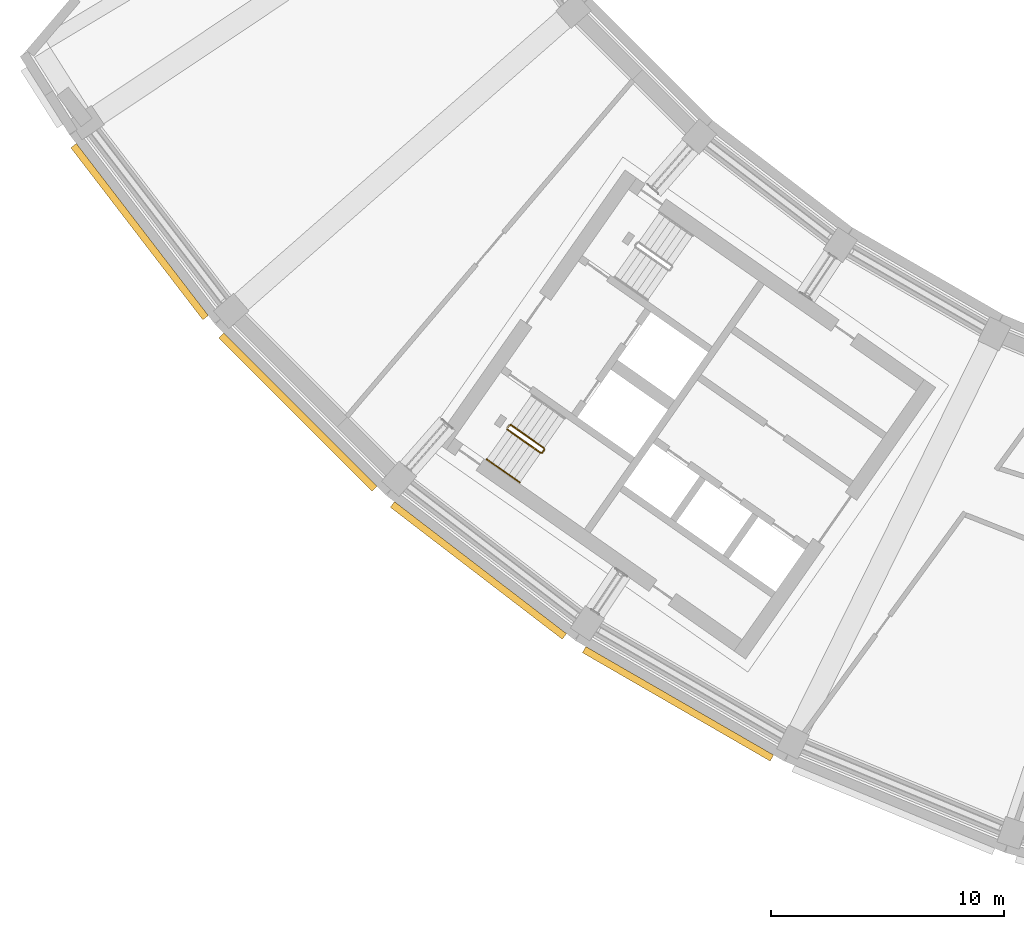
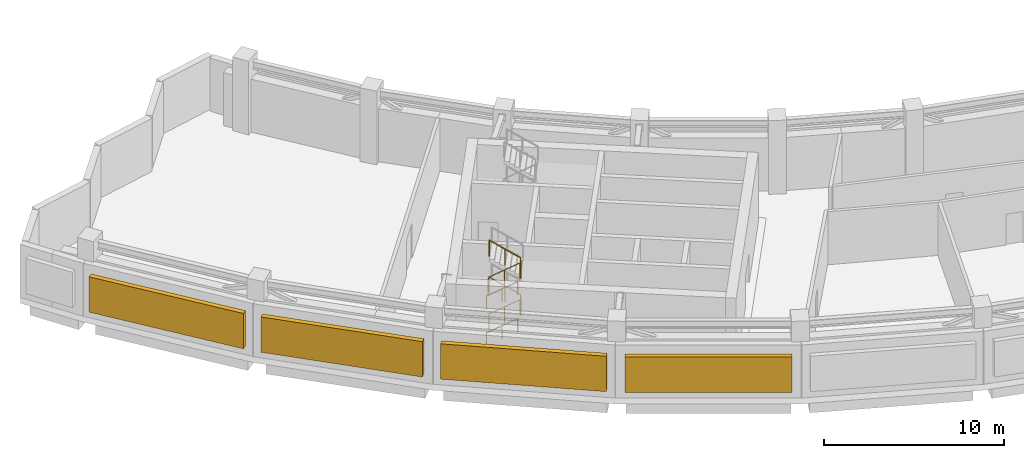
# One storey, part 21 of 24: 6 railings, 4 shading devices.
"""IFC4 building model written with IfcOpenShell, lengths in metres."""

from ifc_helpers import new_model, si_unit, direction, frame, origin, origin_2d, place, context, subcontext, project, spatial, rectangle, circle, extrude, material, type_object, element, save


model = new_model("IFC4")

# Units and contexts
model_context = context("Model", 3, precision=1e-05, world=origin(), true_north=direction((0.0, 1.0)))
body_context = subcontext(model_context, "Body", "Model", "MODEL_VIEW")
ifc_project = project(units=[si_unit("LENGTHUNIT", "METRE"), si_unit("AREAUNIT", "SQUARE_METRE"), si_unit("VOLUMEUNIT", "CUBIC_METRE"), si_unit("PLANEANGLEUNIT", "RADIAN"), si_unit("MASSUNIT", "GRAM", prefix="KILO")], contexts=[model_context])

# Site, building, storey
site_placement = place(None, origin())
site = spatial("IfcSite", under=ifc_project, at=site_placement, CompositionType="ELEMENT")
building_placement = place(site_placement, origin())
building = spatial("IfcBuilding", under=site, at=building_placement, Name="Qamariyya Broadcast Tower", CompositionType="ELEMENT")
storey_placement = place(building_placement, frame((0.0, 0.0, 253.10009765625)))
storey = spatial("IfcBuildingStorey", under=building, at=storey_placement, Name="L61", CompositionType="ELEMENT", Elevation=253.10009765625)

# Railings
ifc_material_1 = material(Name="Painted steel", Category="steel")
railing_type_1 = type_object("IfcRailingType", Name="Stair guard", PredefinedType="GUARDRAIL", material=ifc_material_1)
railing_1_placement = place(storey_placement, frame((-46.624267578125, -56.34765625, 0.178466796875)))
element("IfcRailing", 1, at=railing_1_placement, inside=storey, type_object=railing_type_1, Name="L61 ST-W1 stair guard 1", PredefinedType="GUARDRAIL", context=body_context, shape_type="SweptSolid", body=[
    extrude(circle(Radius=0.02392578125, at=origin_2d()), frame((0.0, 0.0, 1.076171875), z_axis=(0.69748900342, -0.488409565944, 0.52437122919), x_axis=(0.573594173421, 0.819139624372, 0.0)), (0.0, 0.0, 1.0), 2.04345703125),
    extrude(circle(Radius=0.02392578125, at=origin_2d()), frame((1.42529296875, -0.998046875, 2.1474609375), z_axis=(0.984957024646, 0.172799478008, 0.0), x_axis=(-0.172799478008, 0.984957024646, 0.0)), (0.0, 0.0, 1.0), 0.070556640625),
    extrude(circle(Radius=0.02392578125, at=origin_2d()), frame((1.494873046875, -0.98583984375, 2.1474609375), z_axis=(0.574444878118, 0.818543268254, 0.0), x_axis=(-0.818543268254, 0.574444878118, 0.0)), (0.0, 0.0, 1.0), 0.150146484375),
    extrude(circle(Radius=0.02099609375, at=origin_2d()), origin(), (0.0, 0.0, 1.0), 1.052001953125),
    extrude(circle(Radius=0.02099609375, at=origin_2d()), frame((0.712646484375, -0.4990234375, 0.53564453125)), (0.0, 0.0, 1.0), 1.052001953125),
    extrude(circle(Radius=0.02099609375, at=origin_2d()), frame((1.42529296875, -0.998046875, 1.071533203125)), (0.0, 0.0, 1.0), 1.052001953125),
    extrude(circle(Radius=0.02099609375, at=origin_2d()), frame((1.494873046875, -0.98583984375, 1.071533203125)), (0.0, 0.0, 1.0), 1.052001953125),
    extrude(circle(Radius=0.02099609375, at=origin_2d()), frame((1.5810546875, -0.863037109375, 1.071533203125)), (0.0, 0.0, 1.0), 1.052001953125),
])
railing_2_placement = place(storey_placement, frame((-45.0556640625, -57.14111328125, 1.428466796875)))
element("IfcRailing", 2, at=railing_2_placement, inside=storey, type_object=railing_type_1, Name="L61 ST-W1 stair guard 2", PredefinedType="GUARDRAIL", context=body_context, shape_type="SweptSolid", body=[
    extrude(circle(Radius=0.02392578125, at=origin_2d()), frame((0.0, 0.0, 1.076171875), z_axis=(-0.69748900342, 0.488409565944, 0.52437122919), x_axis=(-0.573594173421, -0.819139624372, 0.0)), (0.0, 0.0, 1.0), 2.04345703125),
    extrude(circle(Radius=0.02392578125, at=origin_2d()), frame((-1.42529296875, 0.998046875, 2.1474609375), z_axis=(-0.755650002112, -0.65497562879, 0.0), x_axis=(0.65497562879, -0.755650002112, 0.0)), (0.0, 0.0, 1.0), 0.2060546875),
    extrude(circle(Radius=0.02392578125, at=origin_2d()), frame((-1.5810546875, 0.863037109375, 2.1474609375), z_axis=(0.574444878118, 0.818543268254, 0.0), x_axis=(-0.818543268254, 0.574444878118, 0.0)), (0.0, 0.0, 1.0), 0.150146484375),
    extrude(circle(Radius=0.02099609375, at=origin_2d()), origin(), (0.0, 0.0, 1.0), 1.052001953125),
    extrude(circle(Radius=0.02099609375, at=origin_2d()), frame((-0.712646484375, 0.4990234375, 0.53564453125)), (0.0, 0.0, 1.0), 1.052001953125),
    extrude(circle(Radius=0.02099609375, at=origin_2d()), frame((-1.42529296875, 0.998046875, 1.071533203125)), (0.0, 0.0, 1.0), 1.052001953125),
    extrude(circle(Radius=0.02099609375, at=origin_2d()), frame((-1.5810546875, 0.863037109375, 1.071533203125)), (0.0, 0.0, 1.0), 1.052001953125),
    extrude(circle(Radius=0.02099609375, at=origin_2d()), frame((-1.494873046875, 0.98583984375, 1.071533203125)), (0.0, 0.0, 1.0), 1.052001953125),
])
railing_3_placement = place(storey_placement, frame((-46.624267578125, -56.34765625, 2.678466796875)))
element("IfcRailing", 3, at=railing_3_placement, inside=storey, type_object=railing_type_1, Name="L61 ST-W1 stair guard 3", PredefinedType="GUARDRAIL", context=body_context, shape_type="SweptSolid", body=[
    extrude(circle(Radius=0.02392578125, at=origin_2d()), frame((0.0, 0.0, 1.076171875), z_axis=(0.69748900342, -0.488409565944, 0.52437122919), x_axis=(0.573594173421, 0.819139624372, 0.0)), (0.0, 0.0, 1.0), 2.04345703125),
    extrude(circle(Radius=0.02392578125, at=origin_2d()), frame((1.42529296875, -0.998046875, 2.1474609375), z_axis=(0.984957024646, 0.172799478008, 0.0), x_axis=(-0.172799478008, 0.984957024646, 0.0)), (0.0, 0.0, 1.0), 0.070556640625),
    extrude(circle(Radius=0.02392578125, at=origin_2d()), frame((1.494873046875, -0.98583984375, 2.1474609375), z_axis=(0.574444878118, 0.818543268254, 0.0), x_axis=(-0.818543268254, 0.574444878118, 0.0)), (0.0, 0.0, 1.0), 0.150146484375),
    extrude(circle(Radius=0.02099609375, at=origin_2d()), origin(), (0.0, 0.0, 1.0), 1.052001953125),
    extrude(circle(Radius=0.02099609375, at=origin_2d()), frame((0.712646484375, -0.4990234375, 0.53564453125)), (0.0, 0.0, 1.0), 1.052001953125),
    extrude(circle(Radius=0.02099609375, at=origin_2d()), frame((1.42529296875, -0.998046875, 1.071533203125)), (0.0, 0.0, 1.0), 1.052001953125),
    extrude(circle(Radius=0.02099609375, at=origin_2d()), frame((1.494873046875, -0.98583984375, 1.071533203125)), (0.0, 0.0, 1.0), 1.052001953125),
    extrude(circle(Radius=0.02099609375, at=origin_2d()), frame((1.5810546875, -0.863037109375, 1.071533203125)), (0.0, 0.0, 1.0), 1.052001953125),
])
railing_4_placement = place(storey_placement, frame((-45.0556640625, -57.14111328125, 3.928466796875)))
element("IfcRailing", 4, at=railing_4_placement, inside=storey, type_object=railing_type_1, Name="L61 ST-W1 stair guard 4", PredefinedType="GUARDRAIL", context=body_context, shape_type="SweptSolid", body=[
    extrude(circle(Radius=0.02392578125, at=origin_2d()), frame((0.0, 0.0, 1.076171875), z_axis=(-0.69748900342, 0.488409565944, 0.52437122919), x_axis=(-0.573594173421, -0.819139624372, 0.0)), (0.0, 0.0, 1.0), 2.04345703125),
    extrude(circle(Radius=0.02099609375, at=origin_2d()), origin(), (0.0, 0.0, 1.0), 1.052001953125),
    extrude(circle(Radius=0.02099609375, at=origin_2d()), frame((-0.712646484375, 0.4990234375, 0.53564453125)), (0.0, 0.0, 1.0), 1.052001953125),
    extrude(circle(Radius=0.02099609375, at=origin_2d()), frame((-1.42529296875, 0.998046875, 1.071533203125)), (0.0, 0.0, 1.0), 1.052001953125),
])
ifc_material_2 = material(Name="Stainless steel", Category="steel")
railing_type_2 = type_object("IfcRailingType", Name="Stair handrail", PredefinedType="HANDRAIL", material=ifc_material_2)
for number, where, name in (
    (5, (-47.513427734375, -57.617431640625, 0.178466796875), "L61 ST-W1 stair handrail 1"),
    (6, (-47.513427734375, -57.617431640625, 2.678466796875), "L61 ST-W1 stair handrail 3"),
):
    element("IfcRailing", number, at=place(storey_placement, frame(where)), inside=storey, type_object=railing_type_2, Name=name, PredefinedType="HANDRAIL", context=body_context, shape_type="SweptSolid", body=[
        extrude(circle(Radius=0.02392578125, at=origin_2d()), frame((0.0, 0.0, 0.8759765625), z_axis=(0.69748900342, -0.488409565944, 0.52437122919), x_axis=(0.573594173421, 0.819139624372, 0.0)), (0.0, 0.0, 1.0), 2.04345703125),
        extrude(circle(Radius=0.02099609375, at=origin_2d()), origin(), (0.0, 0.0, 1.0), 0.851806640625),
        extrude(circle(Radius=0.02099609375, at=origin_2d()), frame((0.712646484375, -0.4990234375, 0.53564453125)), (0.0, 0.0, 1.0), 0.851806640625),
        extrude(circle(Radius=0.02099609375, at=origin_2d()), frame((1.42529296875, -0.998046875, 1.071533203125)), (0.0, 0.0, 1.0), 0.851806640625),
    ])

# Shading devices
ifc_material_3 = material(Name="Glazed terracotta", Category="masonry")
shading_device_type = type_object("IfcShadingDeviceType", Name="Terracotta louvre bank", PredefinedType="USERDEFINED", material=ifc_material_3)
for number, where, z_axis, x_axis, name in (
    (7, (-62.382568359375, -47.867919921875, 0.599853515625), (0.0, 0.0, 1.0), (0.608761429009, -0.793353340291, 0.0), "e-lv-L61-01"),
    (8, (-55.600830078125, -55.600830078125, 0.599853515625), (0.0, 0.0, 1.0), (0.707106781187, -0.707106781187, 0.0), "e-lv-L61-02"),
    (9, (-47.867919921875, -62.382568359375, 0.599853515625), (0.0, 0.0, 1.0), (0.793353340291, -0.608761429009, 0.0), "e-lv-L61-03"),
    (10, (-39.31591796875, -68.096923828125, 0.599853515625), (0.0, 0.0, 1.0), (0.866025403784, -0.5, 0.0), "e-lv-L61-04"),
):
    element("IfcShadingDevice", number, at=place(storey_placement, frame(where, z_axis=z_axis, x_axis=x_axis)), inside=storey, type_object=shading_device_type, Name=name, ObjectType="LOUVRE", PredefinedType="USERDEFINED", context=body_context, shape_type="SweptSolid", body=[
        extrude(rectangle(XDim=9.287841796875, YDim=0.300048828125, at=origin_2d()), origin(), (0.0, 0.0, 1.0), 2.39990234375),
    ])

save(model, "model.ifc")
